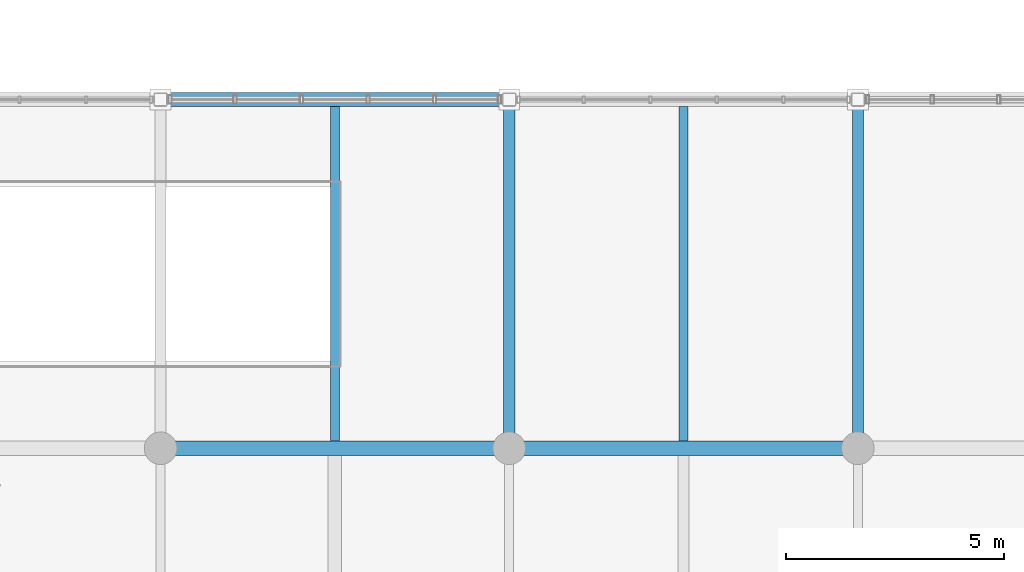
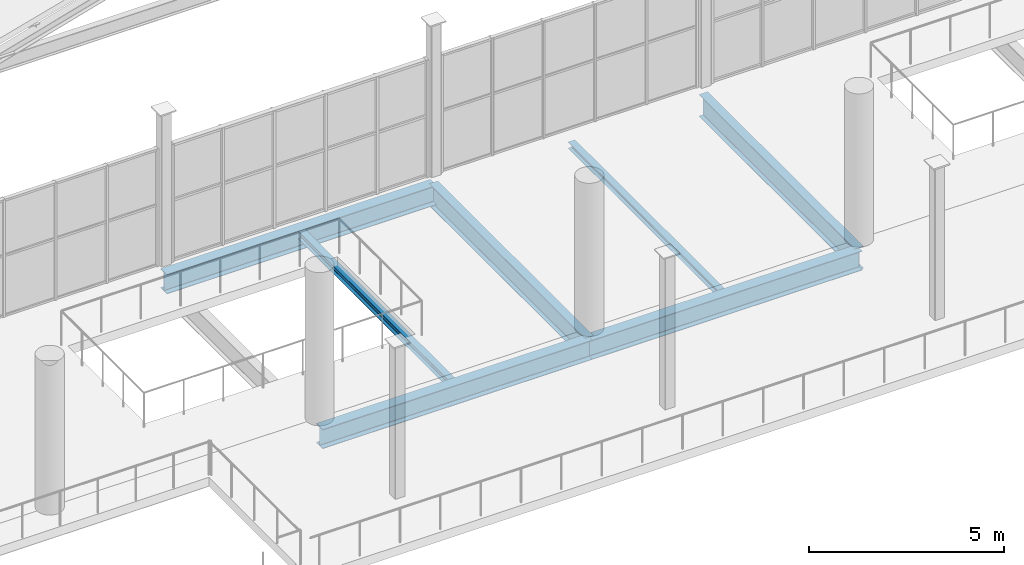
# One storey, part 40 of 114: 7 beams.
"""IFC4 building model written with IfcOpenShell, lengths in metres."""

from ifc_helpers import new_model, si_unit, direction, frame, origin, origin_2d, place, context, subcontext, project, spatial, i_section, extrude, material, material_profile, profile_set, type_object, element, save


model = new_model("IFC4")

# Units and contexts
model_context = context("Model", 3, precision=1e-05, world=origin(), true_north=direction((0.0, 1.0)))
body_context = subcontext(model_context, "Body", "Model", "MODEL_VIEW")
ifc_project = project(units=[si_unit("LENGTHUNIT", "METRE"), si_unit("AREAUNIT", "SQUARE_METRE"), si_unit("VOLUMEUNIT", "CUBIC_METRE"), si_unit("PLANEANGLEUNIT", "RADIAN"), si_unit("MASSUNIT", "GRAM", prefix="KILO")], contexts=[model_context])

# Site, building, storey
site_placement = place(None, origin())
site = spatial("IfcSite", under=ifc_project, at=site_placement, CompositionType="ELEMENT")
building_placement = place(site_placement, origin())
building = spatial("IfcBuilding", under=site, at=building_placement, Name="Verrall Gate Interchange", CompositionType="ELEMENT")
storey_placement = place(building_placement, frame((0.0, 0.0, 6.60009765625)))
storey = spatial("IfcBuildingStorey", under=building, at=storey_placement, Name="L02", CompositionType="ELEMENT", Elevation=6.60009765625)

# Beams
ifc_material_1 = material(Name="Structural Steel CSA G40.21 350WT Cat 4", Category="steel")
ifc_material_profile_1 = material_profile(ifc_material_1, i_section(OverallWidth=0.256103515625, OverallDepth=0.693115234375, WebThickness=0.01318359375, FlangeThickness=0.02001953125, FilletRadius=0.01611328125, at=origin_2d()), Name="W690x170")
ifc_profile_set_1 = profile_set([ifc_material_profile_1], Name="Structural Steel CSA G40.21 350WT Cat 4")
beam_type_1 = type_object("IfcBeamType", Name="B-07 Structural Beam W690x170", PredefinedType="BEAM", material=ifc_profile_set_1)
for number, where, z_axis, x_axis, name in (
    (1, (84.0, 48.0, -0.626708984375), (0.0, 1.0, 0.0), (-1.0, 0.0, 0.0), "L02 Girder BM-L02-1760 (B-07)"),
    (2, (92.0, 48.0, -0.626708984375), (0.0, 1.0, 0.0), (-1.0, 0.0, 0.0), "L02 Girder BM-L02-1765 (B-07)"),
):
    element("IfcBeam", number, at=place(storey_placement, frame(where, z_axis=z_axis, x_axis=x_axis)), inside=storey, type_object=beam_type_1, Name=name, PredefinedType="BEAM", context=body_context, shape_type="SweptSolid", body=[
        extrude(i_section(OverallWidth=0.256103515625, OverallDepth=0.693115234375, WebThickness=0.01318359375, FlangeThickness=0.02001953125, FilletRadius=0.01611328125, at=origin_2d()), origin(), (0.0, 0.0, 1.0), 8.0),
    ])
ifc_material_2 = material(Name="Structural Steel CSA G40.21 350WT Cat 4", Category="steel")
ifc_material_profile_2 = material_profile(ifc_material_2, i_section(OverallWidth=0.323974609375, OverallDepth=0.611083984375, WebThickness=0.0126953125, FlangeThickness=0.01904296875, FilletRadius=0.014892578125, at=origin_2d()), Name="W610x155")
ifc_profile_set_2 = profile_set([ifc_material_profile_2], Name="Structural Steel CSA G40.21 350WT Cat 4")
beam_type_2 = type_object("IfcBeamType", Name="B-08 Structural Beam W610x155", PredefinedType="BEAM", material=ifc_profile_set_2)
for number, where, z_axis, x_axis, name in (
    (3, (76.0, 48.0, -0.585693359375), (1.0, 0.0, 0.0), (0.0, 1.0, 0.0), "L02 Girder BM-L02-1575 (B-08)"),
    (4, (84.0, 48.0, -0.585693359375), (1.0, 0.0, 0.0), (0.0, 1.0, 0.0), "L02 Girder BM-L02-1576 (B-08)"),
    (5, (76.0, 56.0, -0.585693359375), (1.0, 0.0, 0.0), (0.0, 1.0, 0.0), "L02 Girder BM-L02-1597 (B-08)"),
):
    element("IfcBeam", number, at=place(storey_placement, frame(where, z_axis=z_axis, x_axis=x_axis)), inside=storey, type_object=beam_type_2, Name=name, PredefinedType="BEAM", context=body_context, shape_type="SweptSolid", body=[
        extrude(i_section(OverallWidth=0.323974609375, OverallDepth=0.611083984375, WebThickness=0.0126953125, FlangeThickness=0.01904296875, FilletRadius=0.014892578125, at=origin_2d()), origin(), (0.0, 0.0, 1.0), 8.0),
    ])
ifc_material_3 = material(Name="Structural Steel CSA G40.21 350W", Category="steel")
ifc_material_profile_3 = material_profile(ifc_material_3, i_section(OverallWidth=0.201904296875, OverallDepth=0.2470703125, WebThickness=0.00732421875, FlangeThickness=0.010986328125, FilletRadius=0.010986328125, at=origin_2d()), Name="W250x49")
ifc_profile_set_3 = profile_set([ifc_material_profile_3], Name="Structural Steel CSA G40.21 350W")
beam_type_3 = type_object("IfcBeamType", Name="J-06 Floor Joist W250x49", PredefinedType="JOIST", material=ifc_profile_set_3)
beam_1_placement = place(storey_placement, frame((80.0, 48.162109375, -0.403564453125), z_axis=(0.0, 1.0, 0.0), x_axis=(-1.0, 0.0, 0.0)))
element("IfcBeam", 6, at=beam_1_placement, inside=storey, type_object=beam_type_3, Name="L02 Secondary Floor Joist JST-L02-1948", PredefinedType="JOIST", context=body_context, shape_type="SweptSolid", body=[
    extrude(i_section(OverallWidth=0.201904296875, OverallDepth=0.2470703125, WebThickness=0.00732421875, FlangeThickness=0.010986328125, FilletRadius=0.010986328125, at=origin_2d()), origin(), (0.0, 0.0, 1.0), 7.67578125),
])
ifc_material_4 = material(Name="Structural Steel CSA G40.21 350W", Category="steel")
ifc_material_profile_4 = material_profile(ifc_material_4, i_section(OverallWidth=0.202880859375, OverallDepth=0.202880859375, WebThickness=0.007080078125, FlangeThickness=0.010986328125, FilletRadius=0.010009765625, at=origin_2d()), Name="W200x46")
ifc_profile_set_4 = profile_set([ifc_material_profile_4], Name="Structural Steel CSA G40.21 350W")
beam_type_4 = type_object("IfcBeamType", Name="J-07 Floor Joist W200x46", PredefinedType="JOIST", material=ifc_profile_set_4)
beam_2_placement = place(storey_placement, frame((88.0, 48.162109375, -0.381591796875), z_axis=(0.0, 1.0, 0.0), x_axis=(-1.0, 0.0, 0.0)))
element("IfcBeam", 7, at=beam_2_placement, inside=storey, type_object=beam_type_4, Name="L02 Secondary Floor Joist JST-L02-1949", PredefinedType="JOIST", context=body_context, shape_type="SweptSolid", body=[
    extrude(i_section(OverallWidth=0.202880859375, OverallDepth=0.202880859375, WebThickness=0.007080078125, FlangeThickness=0.010986328125, FilletRadius=0.010009765625, at=origin_2d()), origin(), (0.0, 0.0, 1.0), 7.67578125),
])

save(model, "model.ifc")
